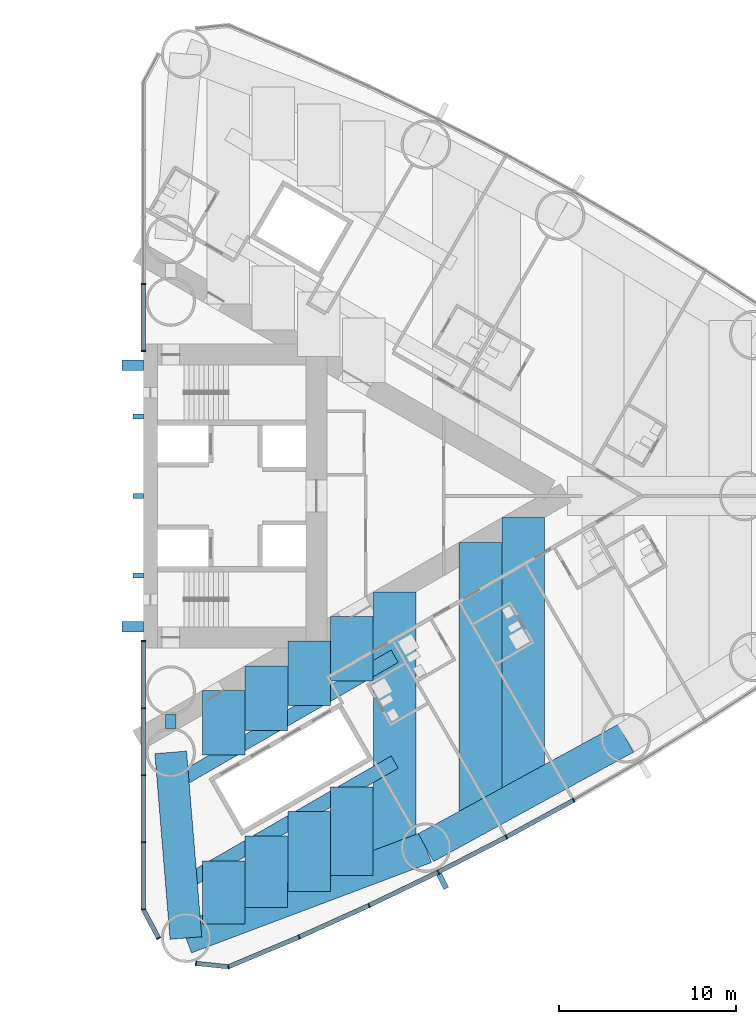
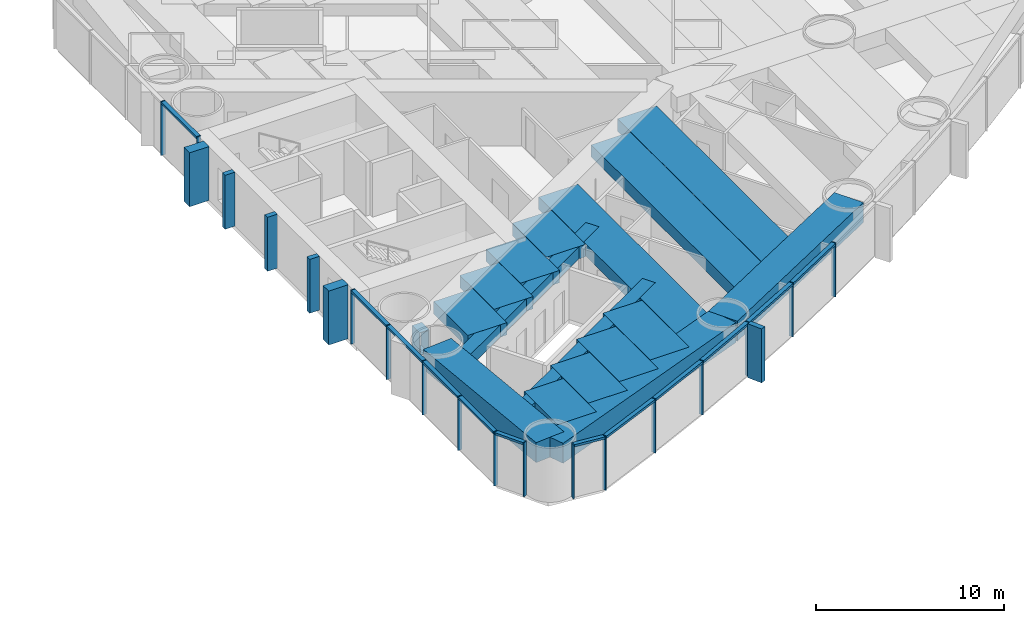
# One storey, part 6 of 19: 33 members, 17 beams, 3 elements without a shape of their own.
"""IFC4 building model written with IfcOpenShell, lengths in metres."""

from ifc_helpers import new_model, si_unit, direction, frame, origin, origin_2d, place, context, subcontext, project, spatial, rectangle, hollow_rectangle, extrude, material, material_profile, profile_set, type_object, element, aggregate, save


model = new_model("IFC4")

# Units and contexts
model_context = context("Model", 3, precision=1e-05, world=origin(), true_north=direction((0.0, 1.0)))
body_context = subcontext(model_context, "Body", "Model", "MODEL_VIEW")
ifc_project = project(units=[si_unit("LENGTHUNIT", "METRE"), si_unit("AREAUNIT", "SQUARE_METRE"), si_unit("VOLUMEUNIT", "CUBIC_METRE"), si_unit("PLANEANGLEUNIT", "RADIAN"), si_unit("MASSUNIT", "GRAM", prefix="KILO")], contexts=[model_context])

# Site, building, storey
site_placement = place(None, origin())
site = spatial("IfcSite", under=ifc_project, at=site_placement, CompositionType="ELEMENT")
building_placement = place(site_placement, origin())
building = spatial("IfcBuilding", under=site, at=building_placement, Name="Lancet Gate Hotel", CompositionType="ELEMENT")
storey_placement = place(building_placement, frame((0.0, 0.0, 67.0)))
storey = spatial("IfcBuildingStorey", under=building, at=storey_placement, Name="L17", CompositionType="ELEMENT", Elevation=67.0)

# Curtain wall, members
ifc_material_1 = material(Name="Aluminium curtain wall", Category="aluminium")
curtain_wall_type = type_object("IfcCurtainWallType", Name="Tower unitised curtain wall", PredefinedType="USERDEFINED", material=ifc_material_1)
curtain_wall_1_placement = place(storey_placement, origin())
curtain_wall_1 = element("IfcCurtainWall", 1, at=curtain_wall_1_placement, inside=storey, type_object=curtain_wall_type, Name="T2 L17 curtain wall 1", ObjectType="UNITISED CURTAIN WALL", PredefinedType="USERDEFINED")
ifc_material_2 = material(Name="Aluminium mullion", Category="aluminium")
ifc_material_profile_1 = material_profile(ifc_material_2, rectangle(XDim=0.06494140625, YDim=0.25, at=origin_2d()), Name="MULLION 65x250")
ifc_profile_set_1 = profile_set([ifc_material_profile_1], Name="Aluminium mullion")
member_type_1 = type_object("IfcMemberType", Name="Aluminium mullion 65x250", PredefinedType="MULLION", material=ifc_profile_set_1)
member_1_placement = place(storey_placement, frame((27.5, -8.199951171875, 0.0), z_axis=(0.0, 0.0, 1.0), x_axis=(0.0, -1.0, 0.0)))
member_1 = element("IfcMember", 2, at=member_1_placement, type_object=member_type_1, Name="T2 L17 curtain wall 1 mullion 1", PredefinedType="MULLION", context=body_context, shape_type="SweptSolid", body=[
    extrude(rectangle(XDim=0.06494140625, YDim=0.25, at=origin_2d()), origin(), (0.0, 0.0, 1.0), 3.5),
])
member_2_placement = place(storey_placement, frame((27.5, -11.99609375, 0.0), z_axis=(0.0, 0.0, 1.0), x_axis=(0.0, -1.0, 0.0)))
member_2 = element("IfcMember", 3, at=member_2_placement, type_object=member_type_1, Name="T2 L17 curtain wall 1 mullion 2", PredefinedType="MULLION", context=body_context, shape_type="SweptSolid", body=[
    extrude(rectangle(XDim=0.06494140625, YDim=0.25, at=origin_2d()), origin(), (0.0, 0.0, 1.0), 3.5),
])
member_3_placement = place(storey_placement, frame((27.5, -15.79248046875, 0.0), z_axis=(0.0, 0.0, 1.0), x_axis=(0.0, -1.0, 0.0)))
member_3 = element("IfcMember", 4, at=member_3_placement, type_object=member_type_1, Name="T2 L17 curtain wall 1 mullion 3", PredefinedType="MULLION", context=body_context, shape_type="SweptSolid", body=[
    extrude(rectangle(XDim=0.06494140625, YDim=0.25, at=origin_2d()), origin(), (0.0, 0.0, 1.0), 3.5),
])
member_4_placement = place(storey_placement, frame((27.5, -19.588623046875, 0.0), z_axis=(0.0, 0.0, 1.0), x_axis=(0.0, -1.0, 0.0)))
member_4 = element("IfcMember", 5, at=member_4_placement, type_object=member_type_1, Name="T2 L17 curtain wall 1 mullion 4", PredefinedType="MULLION", context=body_context, shape_type="SweptSolid", body=[
    extrude(rectangle(XDim=0.06494140625, YDim=0.25, at=origin_2d()), origin(), (0.0, 0.0, 1.0), 3.5),
])
member_5_placement = place(storey_placement, frame((27.5, -23.384765625, 0.0), z_axis=(0.0, 0.0, 1.0), x_axis=(0.157751691459, -0.987478811844, 0.0)))
member_5 = element("IfcMember", 6, at=member_5_placement, type_object=member_type_1, Name="T2 L17 curtain wall 1 mullion 5", PredefinedType="MULLION", context=body_context, shape_type="SweptSolid", body=[
    extrude(rectangle(XDim=0.06494140625, YDim=0.25, at=origin_2d()), origin(), (0.0, 0.0, 1.0), 3.5),
])
member_6_placement = place(storey_placement, frame((28.366455078125, -25.012451171875, 0.0), z_axis=(0.0, 0.0, 1.0), x_axis=(0.469897827284, -0.882720811987, 0.0)))
member_6 = element("IfcMember", 7, at=member_6_placement, type_object=member_type_1, Name="T2 L17 curtain wall 1 mullion 6", PredefinedType="MULLION", context=body_context, shape_type="SweptSolid", body=[
    extrude(rectangle(XDim=0.06494140625, YDim=0.25, at=origin_2d()), origin(), (0.0, 0.0, 1.0), 3.5),
])

curtain_wall_2_placement = place(storey_placement, origin())
curtain_wall_2 = element("IfcCurtainWall", 8, at=curtain_wall_2_placement, inside=storey, type_object=curtain_wall_type, Name="T2 L17 curtain wall 2", ObjectType="UNITISED CURTAIN WALL", PredefinedType="USERDEFINED")
member_7_placement = place(storey_placement, frame((30.48388671875, -26.4375, 0.0), z_axis=(0.0, 0.0, 1.0), x_axis=(0.994672262412, -0.10308778001, 0.0)))
member_7 = element("IfcMember", 9, at=member_7_placement, type_object=member_type_1, Name="T2 L17 curtain wall 2 mullion 1", PredefinedType="MULLION", context=body_context, shape_type="SweptSolid", body=[
    extrude(rectangle(XDim=0.06494140625, YDim=0.25, at=origin_2d()), origin(), (0.0, 0.0, 1.0), 3.5),
])
member_8_placement = place(storey_placement, frame((32.3173828125, -26.62744140625, 0.0), z_axis=(0.0, 0.0, 1.0), x_axis=(0.968721492963, 0.248150496819, 0.0)))
member_8 = element("IfcMember", 10, at=member_8_placement, type_object=member_type_1, Name="T2 L17 curtain wall 2 mullion 2", PredefinedType="MULLION", context=body_context, shape_type="SweptSolid", body=[
    extrude(rectangle(XDim=0.06494140625, YDim=0.25, at=origin_2d()), origin(), (0.0, 0.0, 1.0), 3.5),
])
member_9_placement = place(storey_placement, frame((36.31494140625, -24.943603515625, 0.0), z_axis=(0.0, 0.0, 1.0), x_axis=(0.916578705089, 0.399854320193, 0.0)))
member_9 = element("IfcMember", 11, at=member_9_placement, type_object=member_type_1, Name="T2 L17 curtain wall 2 mullion 3", PredefinedType="MULLION", context=body_context, shape_type="SweptSolid", body=[
    extrude(rectangle(XDim=0.06494140625, YDim=0.25, at=origin_2d()), origin(), (0.0, 0.0, 1.0), 3.5),
])
member_10_placement = place(storey_placement, frame((40.2685546875, -23.15869140625, 0.0), z_axis=(0.0, 0.0, 1.0), x_axis=(0.906104948671, 0.423052977762, 0.0)))
member_10 = element("IfcMember", 12, at=member_10_placement, type_object=member_type_1, Name="T2 L17 curtain wall 2 mullion 4", PredefinedType="MULLION", context=body_context, shape_type="SweptSolid", body=[
    extrude(rectangle(XDim=0.06494140625, YDim=0.25, at=origin_2d()), origin(), (0.0, 0.0, 1.0), 3.5),
])
member_11_placement = place(storey_placement, frame((44.17529296875, -21.273681640625, 0.0), z_axis=(0.0, 0.0, 1.0), x_axis=(0.895044147438, 0.445977548917, 0.0)))
member_11 = element("IfcMember", 13, at=member_11_placement, type_object=member_type_1, Name="T2 L17 curtain wall 2 mullion 5", PredefinedType="MULLION", context=body_context, shape_type="SweptSolid", body=[
    extrude(rectangle(XDim=0.06494140625, YDim=0.25, at=origin_2d()), origin(), (0.0, 0.0, 1.0), 3.5),
])
member_12_placement = place(storey_placement, frame((48.03271484375, -19.2900390625, 0.0), z_axis=(0.0, 0.0, 1.0), x_axis=(0.88340346743, 0.468613181347, 0.0)))
member_12 = element("IfcMember", 14, at=member_12_placement, type_object=member_type_1, Name="T2 L17 curtain wall 2 mullion 6", PredefinedType="MULLION", context=body_context, shape_type="SweptSolid", body=[
    extrude(rectangle(XDim=0.06494140625, YDim=0.25, at=origin_2d()), origin(), (0.0, 0.0, 1.0), 3.5),
])
member_13_placement = place(storey_placement, frame((51.838623046875, -17.208740234375, 0.0), z_axis=(0.0, 0.0, 1.0), x_axis=(0.871190450382, 0.490945209941, 0.0)))
member_13 = element("IfcMember", 15, at=member_13_placement, type_object=member_type_1, Name="T2 L17 curtain wall 2 mullion 7", PredefinedType="MULLION", context=body_context, shape_type="SweptSolid", body=[
    extrude(rectangle(XDim=0.06494140625, YDim=0.25, at=origin_2d()), origin(), (0.0, 0.0, 1.0), 3.5),
])

curtain_wall_3_placement = place(storey_placement, origin())
curtain_wall_3 = element("IfcCurtainWall", 16, at=curtain_wall_3_placement, inside=storey, type_object=curtain_wall_type, Name="T2 L17 curtain wall 4", ObjectType="UNITISED CURTAIN WALL", PredefinedType="USERDEFINED")
member_14_placement = place(storey_placement, frame((27.5, 11.99609375, 0.0), z_axis=(0.0, 0.0, 1.0), x_axis=(0.0, -1.0, 0.0)))
member_14 = element("IfcMember", 17, at=member_14_placement, type_object=member_type_1, Name="T2 L17 curtain wall 4 mullion 5", PredefinedType="MULLION", context=body_context, shape_type="SweptSolid", body=[
    extrude(rectangle(XDim=0.06494140625, YDim=0.25, at=origin_2d()), origin(), (0.0, 0.0, 1.0), 3.5),
])
member_15_placement = place(storey_placement, frame((27.5, 8.199951171875, 0.0), z_axis=(0.0, 0.0, 1.0), x_axis=(0.0, -1.0, 0.0)))
member_15 = element("IfcMember", 18, at=member_15_placement, type_object=member_type_1, Name="T2 L17 curtain wall 4 mullion 6", PredefinedType="MULLION", context=body_context, shape_type="SweptSolid", body=[
    extrude(rectangle(XDim=0.06494140625, YDim=0.25, at=origin_2d()), origin(), (0.0, 0.0, 1.0), 3.5),
])

# Member
ifc_material_3 = material(Name="Aluminium transom", Category="aluminium")
ifc_material_profile_2 = material_profile(ifc_material_3, rectangle(XDim=0.25, YDim=0.14990234375, at=origin_2d()), Name="TRANSOM 250x150")
ifc_profile_set_2 = profile_set([ifc_material_profile_2], Name="Aluminium transom")
member_type_2 = type_object("IfcMemberType", Name="Aluminium transom 250x150", PredefinedType="USERDEFINED", material=ifc_profile_set_2)
member_16_placement = place(storey_placement, frame((27.5, -8.232421875, 3.425048828125), z_axis=(0.0, -1.0, 0.0), x_axis=(1.0, 0.0, 0.0)))
member_16 = element("IfcMember", 19, at=member_16_placement, type_object=member_type_2, Name="T2 L17 curtain wall 1 transom 1", ObjectType="TRANSOM", PredefinedType="USERDEFINED", context=body_context, shape_type="SweptSolid", body=[
    extrude(rectangle(XDim=0.25, YDim=0.14990234375, at=origin_2d()), origin(), (0.0, 0.0, 1.0), 3.731201171875),
])

member_17_placement = place(storey_placement, frame((27.5, -12.02880859375, 3.425048828125), z_axis=(0.0, -1.0, 0.0), x_axis=(1.0, 0.0, 0.0)))
member_17 = element("IfcMember", 20, at=member_17_placement, type_object=member_type_2, Name="T2 L17 curtain wall 1 transom 2", ObjectType="TRANSOM", PredefinedType="USERDEFINED", context=body_context, shape_type="SweptSolid", body=[
    extrude(rectangle(XDim=0.25, YDim=0.14990234375, at=origin_2d()), origin(), (0.0, 0.0, 1.0), 3.731201171875),
])

member_18_placement = place(storey_placement, frame((27.5, -15.824951171875, 3.425048828125), z_axis=(0.0, -1.0, 0.0), x_axis=(1.0, 0.0, 0.0)))
member_18 = element("IfcMember", 21, at=member_18_placement, type_object=member_type_2, Name="T2 L17 curtain wall 1 transom 3", ObjectType="TRANSOM", PredefinedType="USERDEFINED", context=body_context, shape_type="SweptSolid", body=[
    extrude(rectangle(XDim=0.25, YDim=0.14990234375, at=origin_2d()), origin(), (0.0, 0.0, 1.0), 3.731201171875),
])

member_19_placement = place(storey_placement, frame((27.5, -19.62109375, 3.425048828125), z_axis=(0.0, -1.0, 0.0), x_axis=(1.0, 0.0, 0.0)))
member_19 = element("IfcMember", 22, at=member_19_placement, type_object=member_type_2, Name="T2 L17 curtain wall 1 transom 4", ObjectType="TRANSOM", PredefinedType="USERDEFINED", context=body_context, shape_type="SweptSolid", body=[
    extrude(rectangle(XDim=0.25, YDim=0.14990234375, at=origin_2d()), origin(), (0.0, 0.0, 1.0), 3.731201171875),
])

member_20_placement = place(storey_placement, frame((27.515380859375, -23.41357421875, 3.425048828125), z_axis=(0.469904276347, -0.882717378933, 0.0), x_axis=(0.882717378933, 0.469904276347, 0.0)))
member_20 = element("IfcMember", 23, at=member_20_placement, type_object=member_type_2, Name="T2 L17 curtain wall 1 transom 5", ObjectType="TRANSOM", PredefinedType="USERDEFINED", context=body_context, shape_type="SweptSolid", body=[
    extrude(rectangle(XDim=0.25, YDim=0.14990234375, at=origin_2d()), origin(), (0.0, 0.0, 1.0), 1.779052734375),
])

aggregate(curtain_wall_1, [member_1, member_2, member_3, member_4, member_5, member_6, member_16, member_17, member_18, member_19, member_20])

member_21_placement = place(storey_placement, frame((30.516357421875, -26.440673828125, 3.425048828125), z_axis=(0.994670452051, -0.103105246306, 0.0), x_axis=(0.103105246306, 0.994670452051, 0.0)))
member_21 = element("IfcMember", 24, at=member_21_placement, type_object=member_type_2, Name="T2 L17 curtain wall 2 transom 1", ObjectType="TRANSOM", PredefinedType="USERDEFINED", context=body_context, shape_type="SweptSolid", body=[
    extrude(rectangle(XDim=0.25, YDim=0.14990234375, at=origin_2d()), origin(), (0.0, 0.0, 1.0), 1.7783203125),
])

member_22_placement = place(storey_placement, frame((32.347412109375, -26.61474609375, 3.425048828125), z_axis=(0.92159772617, 0.388146404233, 0.0), x_axis=(-0.388146404233, 0.92159772617, 0.0)))
member_22 = element("IfcMember", 25, at=member_22_placement, type_object=member_type_2, Name="T2 L17 curtain wall 2 transom 2", ObjectType="TRANSOM", PredefinedType="USERDEFINED", context=body_context, shape_type="SweptSolid", body=[
    extrude(rectangle(XDim=0.25, YDim=0.14990234375, at=origin_2d()), origin(), (0.0, 0.0, 1.0), 4.272705078125),
])

member_23_placement = place(storey_placement, frame((36.3447265625, -24.930419921875, 3.425048828125), z_axis=(0.911396871737, 0.411528543589, 0.0), x_axis=(-0.411528543589, 0.911396871737, 0.0)))
member_23 = element("IfcMember", 26, at=member_23_placement, type_object=member_type_2, Name="T2 L17 curtain wall 2 transom 3", ObjectType="TRANSOM", PredefinedType="USERDEFINED", context=body_context, shape_type="SweptSolid", body=[
    extrude(rectangle(XDim=0.25, YDim=0.14990234375, at=origin_2d()), origin(), (0.0, 0.0, 1.0), 4.272705078125),
])

member_24_placement = place(storey_placement, frame((40.2978515625, -23.14453125, 3.425048828125), z_axis=(0.900646499888, 0.434552508035, 0.0), x_axis=(-0.434552508035, 0.900646499888, 0.0)))
member_24 = element("IfcMember", 27, at=member_24_placement, type_object=member_type_2, Name="T2 L17 curtain wall 2 transom 4", ObjectType="TRANSOM", PredefinedType="USERDEFINED", context=body_context, shape_type="SweptSolid", body=[
    extrude(rectangle(XDim=0.25, YDim=0.14990234375, at=origin_2d()), origin(), (0.0, 0.0, 1.0), 4.272705078125),
])

member_25_placement = place(storey_placement, frame((44.2041015625, -21.259033203125, 3.425048828125), z_axis=(0.88929576978, 0.457332520002, 0.0), x_axis=(-0.457332520002, 0.88929576978, 0.0)))
member_25 = element("IfcMember", 28, at=member_25_placement, type_object=member_type_2, Name="T2 L17 curtain wall 2 transom 5", ObjectType="TRANSOM", PredefinedType="USERDEFINED", context=body_context, shape_type="SweptSolid", body=[
    extrude(rectangle(XDim=0.25, YDim=0.14990234375, at=origin_2d()), origin(), (0.0, 0.0, 1.0), 4.272705078125),
])

member_26_placement = place(storey_placement, frame((48.061279296875, -19.2744140625, 3.425048828125), z_axis=(0.877377528879, 0.479800658417, 0.0), x_axis=(-0.479800658417, 0.877377528879, 0.0)))
member_26 = element("IfcMember", 29, at=member_26_placement, type_object=member_type_2, Name="T2 L17 curtain wall 2 transom 6", ObjectType="TRANSOM", PredefinedType="USERDEFINED", context=body_context, shape_type="SweptSolid", body=[
    extrude(rectangle(XDim=0.25, YDim=0.14990234375, at=origin_2d()), origin(), (0.0, 0.0, 1.0), 4.272705078125),
])

member_27_placement = place(storey_placement, frame((27.5, 11.963623046875, 3.425048828125), z_axis=(0.0, -1.0, 0.0), x_axis=(1.0, 0.0, 0.0)))
member_27 = element("IfcMember", 30, at=member_27_placement, type_object=member_type_2, Name="T2 L17 curtain wall 4 transom 5", ObjectType="TRANSOM", PredefinedType="USERDEFINED", context=body_context, shape_type="SweptSolid", body=[
    extrude(rectangle(XDim=0.25, YDim=0.14990234375, at=origin_2d()), origin(), (0.0, 0.0, 1.0), 3.731201171875),
])

aggregate(curtain_wall_3, [member_14, member_15, member_27])

# Beams
ifc_material_4 = material(Name="Concrete C50/60", Category="concrete")
ifc_material_profile_3 = material_profile(ifc_material_4, rectangle(XDim=1.800048828125, YDim=1.300048828125, at=origin_2d()), Name="RC 1800x1300")
ifc_profile_set_3 = profile_set([ifc_material_profile_3], Name="Concrete C50/60")
beam_type_1 = type_object("IfcBeamType", Name="Edge beam RC 1800x1300", PredefinedType="SPANDREL", material=ifc_profile_set_3)
beam_1_placement = place(storey_placement, frame((29.9111328125, -25.00244140625, 2.60009765625), z_axis=(0.935736448066, 0.352700013836, 0.0), x_axis=(-0.352700013836, 0.935736448066, 0.0)))
element("IfcBeam", 31, at=beam_1_placement, inside=storey, type_object=beam_type_1, Name="T2 edge beam EB1 L17", PredefinedType="SPANDREL", context=body_context, shape_type="SweptSolid", body=[
    extrude(rectangle(XDim=1.800048828125, YDim=1.300048828125, at=origin_2d()), origin(), (0.0, 0.0, 1.0), 14.505126953125),
])
beam_2_placement = place(storey_placement, frame((43.484130859375, -19.886474609375, 2.60009765625), z_axis=(0.87736889738, 0.479816441893, 0.0), x_axis=(-0.479816441893, 0.87736889738, 0.0)))
element("IfcBeam", 32, at=beam_2_placement, inside=storey, type_object=beam_type_1, Name="T2 edge beam EB1 L17", PredefinedType="SPANDREL", context=body_context, shape_type="SweptSolid", body=[
    extrude(rectangle(XDim=1.800048828125, YDim=1.300048828125, at=origin_2d()), origin(), (0.0, 0.0, 1.0), 12.89208984375),
])
beam_3_placement = place(storey_placement, frame((29.9111328125, -25.00244140625, 2.60009765625), z_axis=(-0.081714744052, 0.996655758326, 0.0), x_axis=(-0.996655758326, -0.081714744052, 0.0)))
element("IfcBeam", 33, at=beam_3_placement, inside=storey, type_object=beam_type_1, Name="T2 edge beam EB1 L17", PredefinedType="SPANDREL", context=body_context, shape_type="SweptSolid", body=[
    extrude(rectangle(XDim=1.800048828125, YDim=1.300048828125, at=origin_2d()), origin(), (0.0, 0.0, 1.0), 10.53759765625),
])

# Members
ifc_material_5 = material(Name="Concrete C60/75", Category="concrete")
ifc_material_profile_4 = material_profile(ifc_material_5, rectangle(XDim=0.60009765625, YDim=1.199951171875, at=origin_2d()), Name="FIN 600x1200")
ifc_profile_set_4 = profile_set([ifc_material_profile_4], Name="Concrete C60/75")
member_type_3 = type_object("IfcMemberType", Name="Exposed concrete buttress pilaster 600x1200", PredefinedType="USERDEFINED", material=ifc_profile_set_4)
for number, where, z_axis, x_axis, name in (
    (34, (26.909912109375, -7.39990234375, 0.0), (0.0, 0.0, 1.0), (0.0, 1.0, 0.0), "T2 buttress pilaster S L17"),
    (35, (26.909912109375, 7.39990234375, 0.0), (0.0, 0.0, 1.0), (0.0, 1.0, 0.0), "T2 buttress pilaster N L17"),
):
    element("IfcMember", number, at=place(storey_placement, frame(where, z_axis=z_axis, x_axis=x_axis)), inside=storey, type_object=member_type_3, Name=name, ObjectType="FIN", PredefinedType="USERDEFINED", context=body_context, shape_type="SweptSolid", body=[
        extrude(rectangle(XDim=0.60009765625, YDim=1.199951171875, at=origin_2d()), origin(), (0.0, 0.0, 1.0), 3.5),
    ])

# Member
ifc_material_6 = material(Name="Precast concrete C50/60", Category="concrete")
ifc_material_profile_5 = material_profile(ifc_material_6, rectangle(XDim=0.300048828125, YDim=0.89990234375, at=origin_2d()), Name="FIN 300x900")
ifc_profile_set_5 = profile_set([ifc_material_profile_5], Name="Precast concrete C50/60")
member_type_4 = type_object("IfcMemberType", Name="Exposed concrete fin 300x900", PredefinedType="USERDEFINED", material=ifc_profile_set_5)
member_28_placement = place(storey_placement, frame((44.431640625, -21.788330078125, 0.0), z_axis=(0.0, 0.0, 1.0), x_axis=(0.895044147438, 0.445977548917, 0.0)))
member_28 = element("IfcMember", 36, at=member_28_placement, type_object=member_type_4, Name="T2 L17 curtain wall 2 fin 5", ObjectType="FIN", PredefinedType="USERDEFINED", context=body_context, shape_type="SweptSolid", body=[
    extrude(rectangle(XDim=0.300048828125, YDim=0.89990234375, at=origin_2d()), origin(), (0.0, 0.0, 1.0), 3.5),
])

aggregate(curtain_wall_2, [member_7, member_8, member_9, member_10, member_11, member_28, member_12, member_13, member_21, member_22, member_23, member_24, member_25, member_26])

# Members
ifc_material_7 = material(Name="Concrete C60/75", Category="concrete")
ifc_material_profile_6 = material_profile(ifc_material_7, rectangle(XDim=0.300048828125, YDim=0.60009765625, at=origin_2d()), Name="FIN 300x600")
ifc_profile_set_6 = profile_set([ifc_material_profile_6], Name="Concrete C60/75")
member_type_5 = type_object("IfcMemberType", Name="Exposed concrete rib 300x600", PredefinedType="USERDEFINED", material=ifc_profile_set_6)
for number, where, z_axis, x_axis, name in (
    (37, (27.2099609375, -4.5, 0.0), (0.0, 0.0, 1.0), (0.0, 1.0, 0.0), "T2 core rib 1 L17"),
    (38, (27.2099609375, 0.0, 0.0), (0.0, 0.0, 1.0), (0.0, 1.0, 0.0), "T2 core rib 2 L17"),
    (39, (27.2099609375, 4.5, 0.0), (0.0, 0.0, 1.0), (0.0, 1.0, 0.0), "T2 core rib 3 L17"),
):
    element("IfcMember", number, at=place(storey_placement, frame(where, z_axis=z_axis, x_axis=x_axis)), inside=storey, type_object=member_type_5, Name=name, ObjectType="FIN", PredefinedType="USERDEFINED", context=body_context, shape_type="SweptSolid", body=[
        extrude(rectangle(XDim=0.300048828125, YDim=0.60009765625, at=origin_2d()), origin(), (0.0, 0.0, 1.0), 3.5),
    ])

# Beams
ifc_material_8 = material(Name="Concrete C50/60", Category="concrete")
ifc_material_profile_7 = material_profile(ifc_material_8, rectangle(XDim=2.39990234375, YDim=0.800048828125, at=origin_2d()), Name="RC 2400x800")
ifc_profile_set_7 = profile_set([ifc_material_profile_7], Name="Concrete C50/60")
beam_type_2 = type_object("IfcBeamType", Name="Floor beam RC 2400x800", PredefinedType="BEAM", material=ifc_profile_set_7)
beam_4_placement = place(storey_placement, frame((41.721435546875, -20.55078125, 2.85009765625), z_axis=(0.0, 1.0, 0.0), x_axis=(-1.0, 0.0, 0.0)))
element("IfcBeam", 40, at=beam_4_placement, inside=storey, type_object=beam_type_2, Name="T2 floor beam F11S L17", PredefinedType="BEAM", context=body_context, shape_type="SweptSolid", body=[
    extrude(rectangle(XDim=2.39990234375, YDim=0.800048828125, at=origin_2d()), origin(), (0.0, 0.0, 1.0), 15.134765625),
])
beam_5_placement = place(storey_placement, frame((46.561767578125, -18.203369140625, 2.85009765625), z_axis=(0.0, 1.0, 0.0), x_axis=(-1.0, 0.0, 0.0)))
element("IfcBeam", 41, at=beam_5_placement, inside=storey, type_object=beam_type_2, Name="T2 floor beam F13S L17", PredefinedType="BEAM", context=body_context, shape_type="SweptSolid", body=[
    extrude(rectangle(XDim=2.39990234375, YDim=0.800048828125, at=origin_2d()), origin(), (0.0, 0.0, 1.0), 15.58203125),
])
beam_6_placement = place(storey_placement, frame((48.98193359375, -16.879638671875, 2.85009765625), z_axis=(0.0, 1.0, 0.0), x_axis=(-1.0, 0.0, 0.0)))
element("IfcBeam", 42, at=beam_6_placement, inside=storey, type_object=beam_type_2, Name="T2 floor beam F15S L17", PredefinedType="BEAM", context=body_context, shape_type="SweptSolid", body=[
    extrude(rectangle(XDim=2.39990234375, YDim=0.800048828125, at=origin_2d()), origin(), (0.0, 0.0, 1.0), 15.655517578125),
])
beam_7_placement = place(storey_placement, frame((32.04052734375, -24.199951171875, 2.85009765625), z_axis=(0.0, 1.0, 0.0), x_axis=(-1.0, 0.0, 0.0)))
element("IfcBeam", 43, at=beam_7_placement, inside=storey, type_object=beam_type_2, Name="T2 floor beam F03SA L17", PredefinedType="BEAM", context=body_context, shape_type="SweptSolid", body=[
    extrude(rectangle(XDim=2.39990234375, YDim=0.800048828125, at=origin_2d()), origin(), (0.0, 0.0, 1.0), 3.5615234375),
])
beam_8_placement = place(storey_placement, frame((32.04052734375, -14.65087890625, 2.85009765625), z_axis=(0.0, 1.0, 0.0), x_axis=(-1.0, 0.0, 0.0)))
element("IfcBeam", 44, at=beam_8_placement, inside=storey, type_object=beam_type_2, Name="T2 floor beam F03SB L17", PredefinedType="BEAM", context=body_context, shape_type="SweptSolid", body=[
    extrude(rectangle(XDim=2.39990234375, YDim=0.800048828125, at=origin_2d()), origin(), (0.0, 0.0, 1.0), 3.6455078125),
])
beam_9_placement = place(storey_placement, frame((34.460693359375, -23.28759765625, 2.85009765625), z_axis=(0.0, 1.0, 0.0), x_axis=(-1.0, 0.0, 0.0)))
element("IfcBeam", 45, at=beam_9_placement, inside=storey, type_object=beam_type_2, Name="T2 floor beam F05SA L17", PredefinedType="BEAM", context=body_context, shape_type="SweptSolid", body=[
    extrude(rectangle(XDim=2.39990234375, YDim=0.800048828125, at=origin_2d()), origin(), (0.0, 0.0, 1.0), 4.04638671875),
])
beam_10_placement = place(storey_placement, frame((34.460693359375, -13.253662109375, 2.85009765625), z_axis=(0.0, 1.0, 0.0), x_axis=(-1.0, 0.0, 0.0)))
element("IfcBeam", 46, at=beam_10_placement, inside=storey, type_object=beam_type_2, Name="T2 floor beam F05SB L17", PredefinedType="BEAM", context=body_context, shape_type="SweptSolid", body=[
    extrude(rectangle(XDim=2.39990234375, YDim=0.800048828125, at=origin_2d()), origin(), (0.0, 0.0, 1.0), 3.645751953125),
])
beam_11_placement = place(storey_placement, frame((36.880859375, -22.37548828125, 2.85009765625), z_axis=(0.0, 1.0, 0.0), x_axis=(-1.0, 0.0, 0.0)))
element("IfcBeam", 47, at=beam_11_placement, inside=storey, type_object=beam_type_2, Name="T2 floor beam F07SA L17", PredefinedType="BEAM", context=body_context, shape_type="SweptSolid", body=[
    extrude(rectangle(XDim=2.39990234375, YDim=0.800048828125, at=origin_2d()), origin(), (0.0, 0.0, 1.0), 4.53173828125),
])
beam_12_placement = place(storey_placement, frame((36.880859375, -11.8564453125, 2.85009765625), z_axis=(0.0, 1.0, 0.0), x_axis=(-1.0, 0.0, 0.0)))
element("IfcBeam", 48, at=beam_12_placement, inside=storey, type_object=beam_type_2, Name="T2 floor beam F07SB L17", PredefinedType="BEAM", context=body_context, shape_type="SweptSolid", body=[
    extrude(rectangle(XDim=2.39990234375, YDim=0.800048828125, at=origin_2d()), origin(), (0.0, 0.0, 1.0), 3.645751953125),
])
beam_13_placement = place(storey_placement, frame((39.301025390625, -21.463134765625, 2.85009765625), z_axis=(0.0, 1.0, 0.0), x_axis=(-1.0, 0.0, 0.0)))
element("IfcBeam", 49, at=beam_13_placement, inside=storey, type_object=beam_type_2, Name="T2 floor beam F09SA L17", PredefinedType="BEAM", context=body_context, shape_type="SweptSolid", body=[
    extrude(rectangle(XDim=2.39990234375, YDim=0.800048828125, at=origin_2d()), origin(), (0.0, 0.0, 1.0), 5.0166015625),
])
beam_14_placement = place(storey_placement, frame((39.301025390625, -10.458984375, 2.85009765625), z_axis=(0.0, 1.0, 0.0), x_axis=(-1.0, 0.0, 0.0)))
element("IfcBeam", 50, at=beam_14_placement, inside=storey, type_object=beam_type_2, Name="T2 floor beam F09SB L17", PredefinedType="BEAM", context=body_context, shape_type="SweptSolid", body=[
    extrude(rectangle(XDim=2.39990234375, YDim=0.800048828125, at=origin_2d()), origin(), (0.0, 0.0, 1.0), 3.6455078125),
])
ifc_material_9 = material(Name="Steel S460QL", Category="steel")
ifc_material_profile_8 = material_profile(ifc_material_9, hollow_rectangle(XDim=0.60009765625, YDim=1.5, WallThickness=0.050048828125, at=origin_2d()), Name="BOX 1500x600x50")
ifc_profile_set_8 = profile_set([ifc_material_profile_8], Name="Steel S460QL")
beam_type_3 = type_object("IfcBeamType", Name="Inner-face link beam BOX 1500x600x50", PredefinedType="BEAM", material=ifc_profile_set_8)
beam_15_placement = place(storey_placement, frame((29.050048828125, -13.14990234375, 2.5), z_axis=(0.0, 1.0, 0.0), x_axis=(-1.0, 0.0, 0.0)))
element("IfcBeam", 51, at=beam_15_placement, inside=storey, type_object=beam_type_3, Name="T2 inner-face link beam LK1 L17", PredefinedType="BEAM", context=body_context, shape_type="SweptSolid", body=[
    extrude(hollow_rectangle(XDim=0.60009765625, YDim=1.5, WallThickness=0.050048828125, at=origin_2d()), origin(), (0.0, 0.0, 1.0), 0.7998046875),
])
ifc_material_10 = material(Name="Steel S460QL", Category="steel")
ifc_material_profile_9 = material_profile(ifc_material_10, hollow_rectangle(XDim=0.800048828125, YDim=0.800048828125, WallThickness=0.080078125, at=origin_2d()), Name="BOX 800x800x80")
ifc_profile_set_9 = profile_set([ifc_material_profile_9], Name="Steel S460QL")
beam_type_4 = type_object("IfcBeamType", Name="Trimmer beam BOX 800x800x80", PredefinedType="BEAM", material=ifc_profile_set_9)
beam_16_placement = place(storey_placement, frame((29.6201171875, -16.048095703125, 2.85009765625), z_axis=(0.866036909293, 0.499980071345, 0.0), x_axis=(-0.499980071345, 0.866036909293, 0.0)))
element("IfcBeam", 52, at=beam_16_placement, inside=storey, type_object=beam_type_4, Name="T2 trimmer beam TR01S L17", PredefinedType="BEAM", context=body_context, shape_type="SweptSolid", body=[
    extrude(hollow_rectangle(XDim=0.800048828125, YDim=0.800048828125, WallThickness=0.080078125, at=origin_2d()), origin(), (0.0, 0.0, 1.0), 13.97314453125),
])
beam_17_placement = place(storey_placement, frame((29.665771484375, -22.00927734375, 2.85009765625), z_axis=(0.866037222451, 0.499979528911, 0.0), x_axis=(-0.499979528911, 0.866037222451, 0.0)))
element("IfcBeam", 53, at=beam_17_placement, inside=storey, type_object=beam_type_4, Name="T2 trimmer beam TR02S L17", PredefinedType="BEAM", context=body_context, shape_type="SweptSolid", body=[
    extrude(hollow_rectangle(XDim=0.800048828125, YDim=0.800048828125, WallThickness=0.080078125, at=origin_2d()), origin(), (0.0, 0.0, 1.0), 13.92041015625),
])

save(model, "model.ifc")
